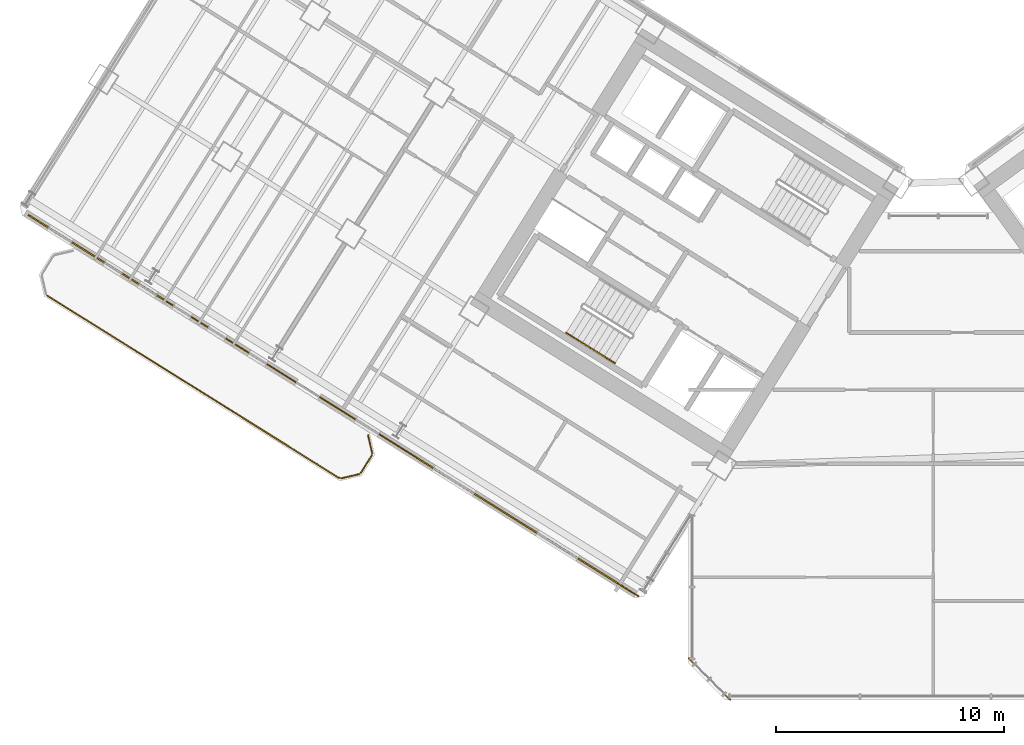
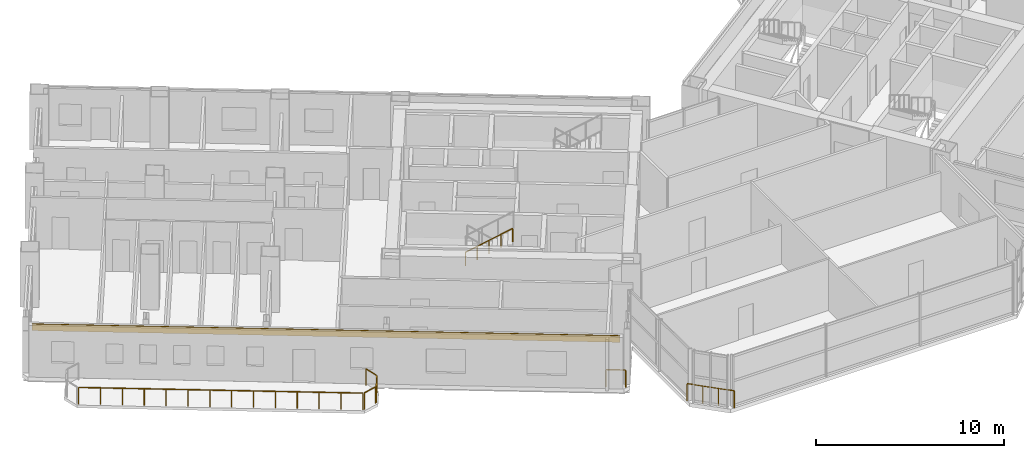
# One storey, part 21 of 28: 8 railings, 1 covering.
"""IFC4 building model written with IfcOpenShell, lengths in metres."""

from ifc_helpers import new_model, si_unit, direction, frame, origin, origin_2d, place, context, subcontext, project, spatial, rectangle, extrude, source, transform, mapped, material, layer, layer_set, type_object, element, save


model = new_model("IFC4")

# Units and contexts
model_context = context("Model", 3, precision=1e-05, world=origin(), true_north=direction((0.0, 1.0)))
body_context = subcontext(model_context, "Body", "Model", "MODEL_VIEW")
ifc_project = project(units=[si_unit("LENGTHUNIT", "METRE"), si_unit("AREAUNIT", "SQUARE_METRE"), si_unit("VOLUMEUNIT", "CUBIC_METRE"), si_unit("PLANEANGLEUNIT", "RADIAN"), si_unit("MASSUNIT", "GRAM", prefix="KILO")], contexts=[model_context])

# Site, building, storey
site_placement = place(None, origin())
site = spatial("IfcSite", under=ifc_project, at=site_placement, CompositionType="ELEMENT")
building_placement = place(site_placement, origin())
building = spatial("IfcBuilding", under=site, at=building_placement, Name="Tlacorven Tower", CompositionType="ELEMENT")
storey_placement = place(building_placement, frame((0.0, 0.0, 63.60009765625)))
storey = spatial("IfcBuildingStorey", under=building, at=storey_placement, Name="L16", CompositionType="ELEMENT", Elevation=63.60009765625)

# Railings
ifc_material_1 = material(Name="Aluminium and painted steel balustrade", Category="steel")
railing_type_1 = type_object("IfcRailingType", Name="RL-BAL-1100", PredefinedType="BALUSTRADE", material=ifc_material_1)
shared_shape_1 = source(origin(), body_context, "Body", "SweptSolid", [
    extrude(rectangle(XDim=0.048095703125, YDim=0.048095703125, at=origin_2d()), frame((0.0, 0.0, 1.076171875), z_axis=(0.225058334816, -0.974345290916, 0.0), x_axis=(0.974345290916, 0.225058334816, 0.0)), (0.0, 0.0, 1.0), 0.80712890625),
    extrude(rectangle(XDim=0.0419921875, YDim=0.0419921875, at=origin_2d()), origin(), (0.0, 0.0, 1.0), 1.052001953125),
    extrude(rectangle(XDim=0.0419921875, YDim=0.0419921875, at=origin_2d()), frame((0.181640625, -0.786376953125, 0.0)), (0.0, 0.0, 1.0), 1.052001953125),
])
railing_1_placement = place(storey_placement, frame((17.5244140625, 13.413330078125, 0.0)))
element("IfcRailing", 1, at=railing_1_placement, inside=storey, type_object=railing_type_1, Name="BAL-L16-W-OUT Guard Railing 1", PredefinedType="BALUSTRADE", context=body_context, shape_type="MappedRepresentation", body=[
    mapped(shared_shape_1, transform((0.0, 0.0, 0.0), scale=1.0)),
])
shared_shape_2 = source(origin(), body_context, "Body", "SweptSolid", [
    extrude(rectangle(XDim=0.048095703125, YDim=0.048095703125, at=origin_2d()), frame((0.0, 0.0, 1.076171875), z_axis=(-0.52987865805, -0.848073468364, 0.0), x_axis=(0.848073468364, -0.52987865805, 0.0)), (0.0, 0.0, 1.0), 0.912353515625),
    extrude(rectangle(XDim=0.0419921875, YDim=0.0419921875, at=origin_2d()), origin(), (0.0, 0.0, 1.0), 1.052001953125),
    extrude(rectangle(XDim=0.0419921875, YDim=0.0419921875, at=origin_2d()), frame((-0.4833984375, -0.773681640625, 0.0)), (0.0, 0.0, 1.0), 1.052001953125),
])
railing_2_placement = place(storey_placement, frame((17.690673828125, 12.535888671875, 0.0)))
element("IfcRailing", 2, at=railing_2_placement, inside=storey, type_object=railing_type_1, Name="BAL-L16-W-OUT Guard Railing 2", PredefinedType="BALUSTRADE", context=body_context, shape_type="MappedRepresentation", body=[
    mapped(shared_shape_2, transform((0.0, 0.0, 0.0), scale=1.0)),
])
shared_shape_3 = source(origin(), body_context, "Body", "SweptSolid", [
    extrude(rectangle(XDim=0.048095703125, YDim=0.048095703125, at=origin_2d()), frame((0.0, 0.0, 1.076171875), z_axis=(-0.974411586182, -0.224771129628, 0.0), x_axis=(0.224771129628, -0.974411586182, 0.0)), (0.0, 0.0, 1.0), 0.80712890625),
    extrude(rectangle(XDim=0.0419921875, YDim=0.0419921875, at=origin_2d()), origin(), (0.0, 0.0, 1.0), 1.052001953125),
    extrude(rectangle(XDim=0.0419921875, YDim=0.0419921875, at=origin_2d()), frame((-0.786376953125, -0.181396484375, 0.0)), (0.0, 0.0, 1.0), 1.052001953125),
])
railing_3_placement = place(storey_placement, frame((17.132080078125, 11.70849609375, 0.0)))
element("IfcRailing", 3, at=railing_3_placement, inside=storey, type_object=railing_type_1, Name="BAL-L16-W-OUT Guard Railing 3", PredefinedType="BALUSTRADE", context=body_context, shape_type="MappedRepresentation", body=[
    mapped(shared_shape_3, transform((0.0, 0.0, 0.0), scale=1.0)),
])
shared_shape_4 = source(origin(), body_context, "Body", "SweptSolid", [
    extrude(rectangle(XDim=0.048095703125, YDim=0.048095703125, at=origin_2d()), frame((0.0, 0.0, 1.076171875), z_axis=(-0.848044572804, 0.529924902733, 0.0), x_axis=(-0.529924902733, -0.848044572804, 0.0)), (0.0, 0.0, 1.0), 15.1171875),
    extrude(rectangle(XDim=0.0419921875, YDim=0.0419921875, at=origin_2d()), origin(), (0.0, 0.0, 1.0), 1.052001953125),
    extrude(rectangle(XDim=0.0419921875, YDim=0.0419921875, at=origin_2d()), frame((-0.986083984375, 0.6162109375, 0.0)), (0.0, 0.0, 1.0), 1.052001953125),
    extrude(rectangle(XDim=0.0419921875, YDim=0.0419921875, at=origin_2d()), frame((-1.972412109375, 1.232421875, 0.0)), (0.0, 0.0, 1.0), 1.052001953125),
    extrude(rectangle(XDim=0.0419921875, YDim=0.0419921875, at=origin_2d()), frame((-2.95849609375, 1.8486328125, 0.0)), (0.0, 0.0, 1.0), 1.052001953125),
    extrude(rectangle(XDim=0.0419921875, YDim=0.0419921875, at=origin_2d()), frame((-3.944580078125, 2.46484375, 0.0)), (0.0, 0.0, 1.0), 1.052001953125),
    extrude(rectangle(XDim=0.0419921875, YDim=0.0419921875, at=origin_2d()), frame((-4.930908203125, 3.0810546875, 0.0)), (0.0, 0.0, 1.0), 1.052001953125),
    extrude(rectangle(XDim=0.0419921875, YDim=0.0419921875, at=origin_2d()), frame((-5.9169921875, 3.697265625, 0.0)), (0.0, 0.0, 1.0), 1.052001953125),
    extrude(rectangle(XDim=0.0419921875, YDim=0.0419921875, at=origin_2d()), frame((-6.903076171875, 4.313720703125, 0.0)), (0.0, 0.0, 1.0), 1.052001953125),
    extrude(rectangle(XDim=0.0419921875, YDim=0.0419921875, at=origin_2d()), frame((-7.88916015625, 4.929931640625, 0.0)), (0.0, 0.0, 1.0), 1.052001953125),
    extrude(rectangle(XDim=0.0419921875, YDim=0.0419921875, at=origin_2d()), frame((-8.87548828125, 5.546142578125, 0.0)), (0.0, 0.0, 1.0), 1.052001953125),
    extrude(rectangle(XDim=0.0419921875, YDim=0.0419921875, at=origin_2d()), frame((-9.861572265625, 6.162353515625, 0.0)), (0.0, 0.0, 1.0), 1.052001953125),
    extrude(rectangle(XDim=0.0419921875, YDim=0.0419921875, at=origin_2d()), frame((-10.84765625, 6.778564453125, 0.0)), (0.0, 0.0, 1.0), 1.052001953125),
    extrude(rectangle(XDim=0.0419921875, YDim=0.0419921875, at=origin_2d()), frame((-11.833984375, 7.394775390625, 0.0)), (0.0, 0.0, 1.0), 1.052001953125),
    extrude(rectangle(XDim=0.0419921875, YDim=0.0419921875, at=origin_2d()), frame((-12.820068359375, 8.010986328125, 0.0)), (0.0, 0.0, 1.0), 1.052001953125),
])
railing_4_placement = place(storey_placement, frame((16.254638671875, 11.542236328125, 0.0)))
element("IfcRailing", 4, at=railing_4_placement, inside=storey, type_object=railing_type_1, Name="BAL-L16-W-OUT Guard Railing 4", PredefinedType="BALUSTRADE", context=body_context, shape_type="MappedRepresentation", body=[
    mapped(shared_shape_4, transform((0.0, 0.0, 0.0), scale=1.0)),
])
railing_type_2 = type_object("IfcRailingType", Name="RL-GRD-1150", PredefinedType="GUARDRAIL", material=ifc_material_1)
shared_shape_5 = source(origin(), body_context, "Body", "SweptSolid", [
    extrude(rectangle(XDim=0.048095703125, YDim=0.048095703125, at=origin_2d()), frame((0.0, 0.0, 1.1259765625), z_axis=(-0.707106781187, 0.707106781187, 0.0), x_axis=(-0.707106781187, -0.707106781187, 0.0)), (0.0, 0.0, 1.0), 2.590087890625),
    extrude(rectangle(XDim=0.0419921875, YDim=0.0419921875, at=origin_2d()), origin(), (0.0, 0.0, 1.0), 1.101806640625),
    extrude(rectangle(XDim=0.0419921875, YDim=0.0419921875, at=origin_2d()), frame((-0.610595703125, 0.610595703125, 0.0)), (0.0, 0.0, 1.0), 1.101806640625),
    extrude(rectangle(XDim=0.0419921875, YDim=0.0419921875, at=origin_2d()), frame((-1.220947265625, 1.220947265625, 0.0)), (0.0, 0.0, 1.0), 1.101806640625),
    extrude(rectangle(XDim=0.0419921875, YDim=0.0419921875, at=origin_2d()), frame((-1.83154296875, 1.83154296875, 0.0)), (0.0, 0.0, 1.0), 1.101806640625),
])
railing_5_placement = place(storey_placement, frame((33.428955078125, 1.79736328125, 0.0)))
element("IfcRailing", 5, at=railing_5_placement, inside=storey, type_object=railing_type_2, Name="L16 Knuckle Glazed Sill Guard 1", PredefinedType="GUARDRAIL", context=body_context, shape_type="MappedRepresentation", body=[
    mapped(shared_shape_5, transform((0.0, 0.0, 0.0), scale=1.0)),
])
shared_shape_6 = source(origin(), body_context, "Body", "SweptSolid", [
    extrude(rectangle(XDim=0.048095703125, YDim=0.048095703125, at=origin_2d()), frame((0.0, 0.0, 1.1259765625), z_axis=(-0.848102774857, 0.529831749973, 0.0), x_axis=(-0.529831749973, -0.848102774857, 0.0)), (0.0, 0.0, 1.0), 1.050048828125),
    extrude(rectangle(XDim=0.0419921875, YDim=0.0419921875, at=origin_2d()), origin(), (0.0, 0.0, 1.0), 1.101806640625),
    extrude(rectangle(XDim=0.0419921875, YDim=0.0419921875, at=origin_2d()), frame((-0.890625, 0.556396484375, 0.0)), (0.0, 0.0, 1.0), 1.101806640625),
])
railing_6_placement = place(storey_placement, frame((29.39501953125, 6.35009765625, 0.0)))
element("IfcRailing", 6, at=railing_6_placement, inside=storey, type_object=railing_type_2, Name="L16 Knuckle Glazed Sill Guard 2", PredefinedType="GUARDRAIL", context=body_context, shape_type="MappedRepresentation", body=[
    mapped(shared_shape_6, transform((0.0, 0.0, 0.0), scale=1.0)),
])

# Covering
ifc_material_2 = material(Name="Precast concrete C45/55", Category="concrete")
ifc_layer = layer(ifc_material_2, 0.06005859375)
ifc_layer_set = layer_set([ifc_layer], Name="Precast concrete C45/55")
covering_type = type_object("IfcCoveringType", Name="CV-CLD-TERC", PredefinedType="CLADDING", material=ifc_layer_set)
shared_shape_7 = source(origin(), body_context, "Body", "SweptSolid", [
    extrude(rectangle(XDim=31.287353515625, YDim=0.06005859375, at=origin_2d()), origin(), (0.0, 0.0, 1.0), 0.419921875),
])
covering_placement = place(storey_placement, frame((15.8740234375, 14.798828125, 2.929931640625), z_axis=(0.0, 0.0, 1.0), x_axis=(-0.84804812172, 0.529919223323, 0.0)))
element("IfcCovering", 7, at=covering_placement, inside=storey, type_object=covering_type, Name="L16 Masonry-Frame Spandrel Cladding 1", PredefinedType="CLADDING", context=body_context, shape_type="MappedRepresentation", body=[
    mapped(shared_shape_7, transform((0.0, 0.0, 0.0), scale=1.0)),
])

# Railings
railing_type_3 = type_object("IfcRailingType", Name="RL-HND-0900", PredefinedType="HANDRAIL", material=ifc_material_1)
shared_shape_8 = source(origin(), body_context, "Body", "SweptSolid", [
    extrude(rectangle(XDim=0.048095703125, YDim=0.048095703125, at=origin_2d()), frame((0.0, 0.0, 0.8759765625), z_axis=(0.713279695859, -0.445799809912, 0.540827703579), x_axis=(0.529998940003, 0.847998304005, 0.0)), (0.0, 0.0, 1.0), 1.497802734375),
    extrude(rectangle(XDim=0.0419921875, YDim=0.0419921875, at=origin_2d()), origin(), (0.0, 0.0, 1.0), 0.851806640625),
    extrude(rectangle(XDim=0.0419921875, YDim=0.0419921875, at=origin_2d()), frame((0.5341796875, -0.333984375, 0.405029296875)), (0.0, 0.0, 1.0), 0.851806640625),
    extrude(rectangle(XDim=0.0419921875, YDim=0.0419921875, at=origin_2d()), frame((1.068359375, -0.667724609375, 0.81005859375)), (0.0, 0.0, 1.0), 0.851806640625),
])
railing_7_placement = place(storey_placement, frame((27.29736328125, 17.24755859375, 2.789794921875)))
element("IfcRailing", 8, at=railing_7_placement, inside=storey, type_object=railing_type_3, Name="L16 ST-W1 stair handrail 4", PredefinedType="HANDRAIL", context=body_context, shape_type="MappedRepresentation", body=[
    mapped(shared_shape_8, transform((0.0, 0.0, 0.0), scale=1.0)),
])
shared_shape_9 = source(origin(), body_context, "Body", "SweptSolid", [
    extrude(rectangle(XDim=0.048095703125, YDim=0.048095703125, at=origin_2d()), frame((0.0, 0.0, 0.8759765625), z_axis=(0.713422621445, -0.445787267455, 0.540649494022), x_axis=(0.529911857636, 0.848052724267, 0.0)), (0.0, 0.0, 1.0), 1.497802734375),
    extrude(rectangle(XDim=0.0419921875, YDim=0.0419921875, at=origin_2d()), origin(), (0.0, 0.0, 1.0), 0.851806640625),
    extrude(rectangle(XDim=0.0419921875, YDim=0.0419921875, at=origin_2d()), frame((0.5341796875, -0.333984375, 0.40478515625)), (0.0, 0.0, 1.0), 0.851806640625),
    extrude(rectangle(XDim=0.0419921875, YDim=0.0419921875, at=origin_2d()), frame((1.068603515625, -0.667724609375, 0.809814453125)), (0.0, 0.0, 1.0), 0.851806640625),
])
railing_8_placement = place(storey_placement, frame((26.228759765625, 17.915283203125, 1.97998046875)))
element("IfcRailing", 9, at=railing_8_placement, inside=storey, type_object=railing_type_3, Name="L16 ST-W1 stair handrail 3", PredefinedType="HANDRAIL", context=body_context, shape_type="MappedRepresentation", body=[
    mapped(shared_shape_9, transform((0.0, 0.0, 0.0), scale=1.0)),
])

save(model, "model.ifc")
